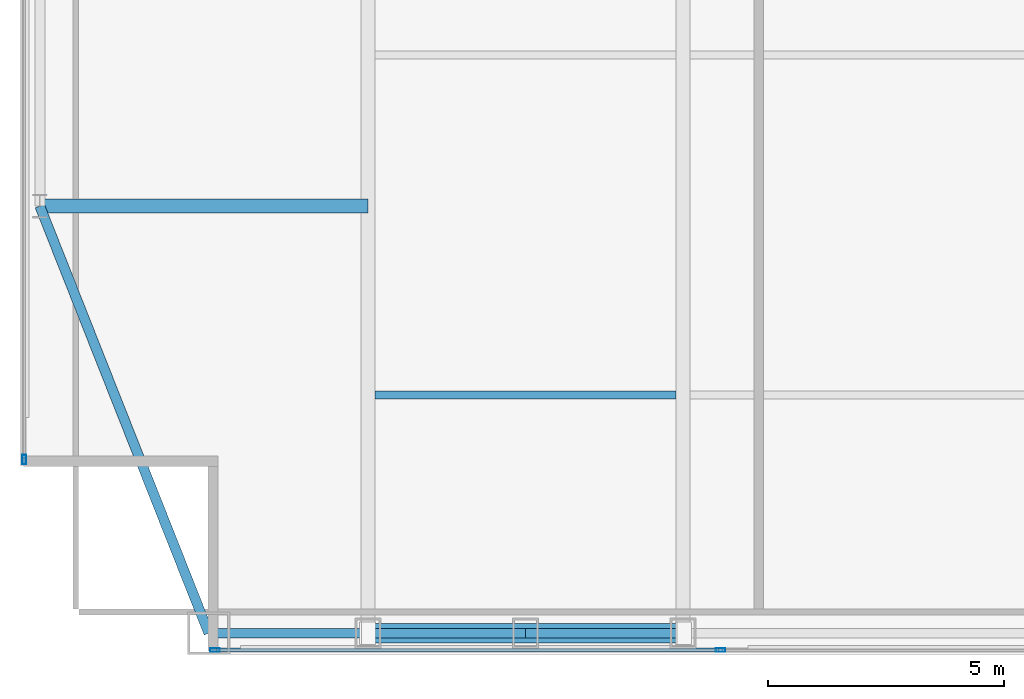
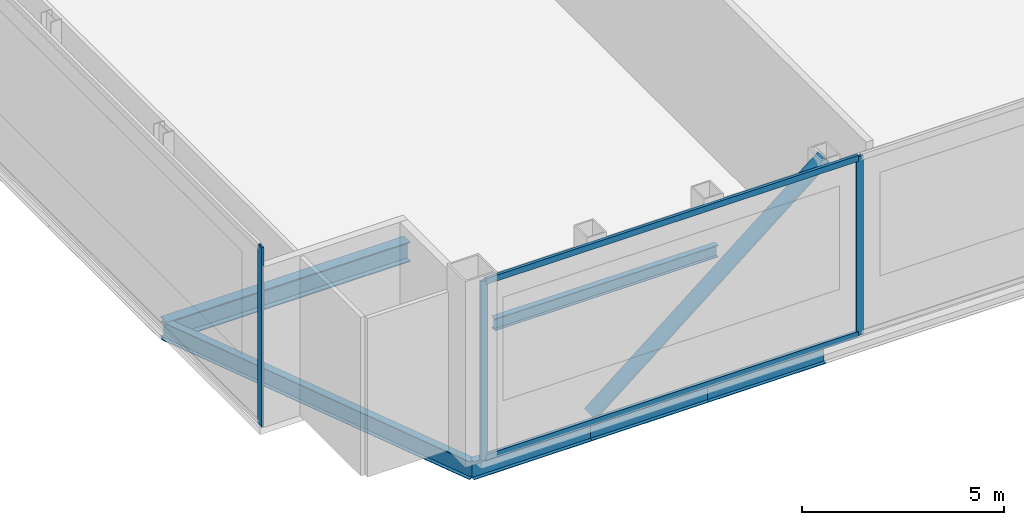
# One storey, part 4 of 22: 6 beams, 6 members, 2 elements without a shape of their own.
"""IFC4 building model written with IfcOpenShell, lengths in metres."""

from ifc_helpers import new_model, si_unit, direction, frame, origin, origin_2d, place, context, subcontext, project, spatial, hollow_rectangle, hollow_circle, i_section, extrude, material, material_profile, profile_set, type_object, element, aggregate, save


model = new_model("IFC4")

# Units and contexts
model_context = context("Model", 3, precision=1e-05, world=origin(), true_north=direction((0.0, 1.0)))
body_context = subcontext(model_context, "Body", "Model", "MODEL_VIEW")
ifc_project = project(units=[si_unit("LENGTHUNIT", "METRE"), si_unit("AREAUNIT", "SQUARE_METRE"), si_unit("VOLUMEUNIT", "CUBIC_METRE"), si_unit("PLANEANGLEUNIT", "RADIAN"), si_unit("MASSUNIT", "GRAM", prefix="KILO")], contexts=[model_context])

# Site, building, storey
site_placement = place(None, origin())
site = spatial("IfcSite", under=ifc_project, at=site_placement, CompositionType="ELEMENT")
building_placement = place(site_placement, origin())
building = spatial("IfcBuilding", under=site, at=building_placement, Name="Khoronbel Lancet Exchange", CompositionType="ELEMENT")
storey_placement = place(building_placement, frame((0.0, 0.0, 361.800048828125)))
storey = spatial("IfcBuildingStorey", under=building, at=storey_placement, Name="L93", CompositionType="ELEMENT", Elevation=361.800048828125)

# Beams
ifc_material_1 = material(Name="Steel S355", Category="steel")
ifc_material_profile_1 = material_profile(ifc_material_1, i_section(OverallWidth=0.300048828125, OverallDepth=0.60009765625, WebThickness=0.015380859375, FlangeThickness=0.030029296875, at=origin_2d()), Name="HEB 600")
ifc_profile_set_1 = profile_set([ifc_material_profile_1], Name="Steel S355")
beam_type_1 = type_object("IfcBeamType", Name="BM-BG5", PredefinedType="BEAM", material=ifc_profile_set_1)
beam_1_placement = place(storey_placement, frame((11.27001953125, 19.199951171875, -0.5), z_axis=(1.0, 0.0, 0.0), x_axis=(0.0, 1.0, 0.0)))
element("IfcBeam", 1, at=beam_1_placement, inside=storey, type_object=beam_type_1, Name="Level L93 west lens tie girder LG1W", PredefinedType="BEAM", context=body_context, shape_type="SweptSolid", body=[
    extrude(i_section(OverallWidth=0.300048828125, OverallDepth=0.60009765625, WebThickness=0.015380859375, FlangeThickness=0.030029296875, at=origin_2d()), origin(), (0.0, 0.0, 1.0), 6.955078125),
])
ifc_material_profile_2 = material_profile(ifc_material_1, i_section(OverallWidth=0.169921875, OverallDepth=0.360107421875, WebThickness=0.008056640625, FlangeThickness=0.0126953125, at=origin_2d()), Name="IPE 360")
ifc_profile_set_2 = profile_set([ifc_material_profile_2], Name="Steel S355")
beam_type_2 = type_object("IfcBeamType", Name="BM-BJ6", PredefinedType="JOIST", material=ifc_profile_set_2)
beam_2_placement = place(storey_placement, frame((18.375, 15.199951171875, -0.380126953125), z_axis=(1.0, 0.0, 0.0), x_axis=(0.0, 1.0, 0.0)))
element("IfcBeam", 2, at=beam_2_placement, inside=storey, type_object=beam_type_2, Name="Level L93 secondary composite joist J01", PredefinedType="JOIST", context=body_context, shape_type="SweptSolid", body=[
    extrude(i_section(OverallWidth=0.169921875, OverallDepth=0.360107421875, WebThickness=0.008056640625, FlangeThickness=0.0126953125, at=origin_2d()), origin(), (0.0, 0.0, 1.0), 6.375),
])
ifc_material_profile_3 = material_profile(ifc_material_1, i_section(OverallWidth=0.2099609375, OverallDepth=0.550048828125, WebThickness=0.010986328125, FlangeThickness=0.01708984375, at=origin_2d()), Name="IPE 550")
ifc_profile_set_3 = profile_set([ifc_material_profile_3], Name="Steel S355")
beam_type_3 = type_object("IfcBeamType", Name="BM-BSP3", PredefinedType="SPANDREL", material=ifc_profile_set_3)
beam_3_placement = place(storey_placement, frame((14.85009765625, 10.14990234375, -0.47509765625), z_axis=(1.0, 0.0, 0.0), x_axis=(0.0, 1.0, 0.0)))
element("IfcBeam", 3, at=beam_3_placement, inside=storey, type_object=beam_type_3, Name="Level L93 perimeter spandrel beam SP01", PredefinedType="SPANDREL", context=body_context, shape_type="SweptSolid", body=[
    extrude(i_section(OverallWidth=0.2099609375, OverallDepth=0.550048828125, WebThickness=0.010986328125, FlangeThickness=0.01708984375, at=origin_2d()), origin(), (0.0, 0.0, 1.0), 3.375),
])
for number, where, z_axis, x_axis, name in (
    (4, (18.22509765625, 10.14990234375, -0.47509765625), (1.0, 0.0, 0.0), (0.0, 1.0, 0.0), "Level L93 perimeter spandrel beam SP02"),
    (5, (21.5625, 10.14990234375, -0.47509765625), (1.0, 0.0, 0.0), (0.0, 1.0, 0.0), "Level L93 perimeter spandrel beam SP03"),
):
    element("IfcBeam", number, at=place(storey_placement, frame(where, z_axis=z_axis, x_axis=x_axis)), inside=storey, type_object=beam_type_3, Name=name, PredefinedType="SPANDREL", context=body_context, shape_type="SweptSolid", body=[
        extrude(i_section(OverallWidth=0.2099609375, OverallDepth=0.550048828125, WebThickness=0.010986328125, FlangeThickness=0.01708984375, at=origin_2d()), origin(), (0.0, 0.0, 1.0), 3.33740234375),
    ])
beam_4_placement = place(storey_placement, frame((11.27001953125, 19.199951171875, -0.47509765625), z_axis=(0.367850095026, -0.92988510451, 0.0), x_axis=(0.92988510451, 0.367850095026, 0.0)))
element("IfcBeam", 6, at=beam_4_placement, inside=storey, type_object=beam_type_3, Name="Level L93 perimeter spandrel beam SP19", PredefinedType="SPANDREL", context=body_context, shape_type="SweptSolid", body=[
    extrude(i_section(OverallWidth=0.2099609375, OverallDepth=0.550048828125, WebThickness=0.010986328125, FlangeThickness=0.01708984375, at=origin_2d()), origin(), (0.0, 0.0, 1.0), 9.732421875),
])

# Curtain wall, member
ifc_material_2 = material(Name="Low-E Solar Control Insulating Glass", Category="glass")
curtain_wall_type = type_object("IfcCurtainWallType", Name="CW-6", PredefinedType="NOTDEFINED", material=ifc_material_2)
curtain_wall_1_placement = place(storey_placement, origin())
curtain_wall_1 = element("IfcCurtainWall", 7, at=curtain_wall_1_placement, inside=storey, type_object=curtain_wall_type, Name="Unitised curtain wall CW-L93-E03", PredefinedType="NOTDEFINED")
ifc_material_3 = material(Name="Bronze-Anodised Aluminium 6063-T6", Category="aluminium")
ifc_material_profile_4 = material_profile(ifc_material_3, hollow_rectangle(XDim=0.074951171875, YDim=0.199951171875, WallThickness=0.0048828125, at=origin_2d()), Name="ALU MULLION 75x200")
ifc_profile_set_4 = profile_set([ifc_material_profile_4], Name="Bronze-Anodised Aluminium 6063-T6")
member_type_1 = type_object("IfcMemberType", Name="MEM-CWM2", PredefinedType="MULLION", material=ifc_profile_set_4)
member_1_placement = place(storey_placement, frame((10.93994140625, 13.827392578125, 0.0), z_axis=(0.0, 0.0, 1.0), x_axis=(-1.0, 0.0, 0.0)))
member_1 = element("IfcMember", 8, at=member_1_placement, type_object=member_type_1, Name="CW6 mullion 1", PredefinedType="MULLION", context=body_context, shape_type="SweptSolid", body=[
    extrude(hollow_rectangle(XDim=0.074951171875, YDim=0.199951171875, WallThickness=0.0048828125, at=origin_2d()), origin(), (0.0, 0.0, 1.0), 5.39990234375),
])
aggregate(curtain_wall_1, [member_1])

# Curtain wall, members
curtain_wall_2_placement = place(storey_placement, origin())
curtain_wall_2 = element("IfcCurtainWall", 9, at=curtain_wall_2_placement, inside=storey, type_object=curtain_wall_type, Name="Unitised curtain wall CW-L93-E12", PredefinedType="NOTDEFINED")
member_2_placement = place(storey_placement, frame((25.695068359375, 9.7900390625, 0.0), z_axis=(0.0, 0.0, 1.0), x_axis=(0.0, -1.0, 0.0)))
member_2 = element("IfcMember", 10, at=member_2_placement, type_object=member_type_1, Name="CW6 mullion 4", PredefinedType="MULLION", context=body_context, shape_type="SweptSolid", body=[
    extrude(hollow_rectangle(XDim=0.074951171875, YDim=0.199951171875, WallThickness=0.0048828125, at=origin_2d()), origin(), (0.0, 0.0, 1.0), 5.39990234375),
])
member_3_placement = place(storey_placement, frame((14.9775390625, 9.7900390625, 0.0), z_axis=(0.0, 0.0, 1.0), x_axis=(0.0, -1.0, 0.0)))
member_3 = element("IfcMember", 11, at=member_3_placement, type_object=member_type_1, Name="CW6 mullion 5", PredefinedType="MULLION", context=body_context, shape_type="SweptSolid", body=[
    extrude(hollow_rectangle(XDim=0.074951171875, YDim=0.199951171875, WallThickness=0.0048828125, at=origin_2d()), origin(), (0.0, 0.0, 1.0), 5.39990234375),
])
ifc_material_profile_5 = material_profile(ifc_material_3, hollow_rectangle(XDim=0.0849609375, YDim=0.179931640625, WallThickness=0.0048828125, at=origin_2d()), Name="ALU TRANSOM 85x180")
ifc_profile_set_5 = profile_set([ifc_material_profile_5], Name="Bronze-Anodised Aluminium 6063-T6")
member_type_2 = type_object("IfcMemberType", Name="MEM-CWT1", PredefinedType="USERDEFINED", material=ifc_profile_set_5)
member_4_placement = place(storey_placement, frame((25.657470703125, 9.7900390625, 0.04248046875), z_axis=(-1.0, 0.0, 0.0), x_axis=(0.0, -1.0, 0.0)))
member_4 = element("IfcMember", 12, at=member_4_placement, type_object=member_type_2, Name="CW6 transom 4.1", ObjectType="TRANSOM", PredefinedType="USERDEFINED", context=body_context, shape_type="SweptSolid", body=[
    extrude(hollow_rectangle(XDim=0.0849609375, YDim=0.179931640625, WallThickness=0.0048828125, at=origin_2d()), origin(), (0.0, 0.0, 1.0), 10.642578125),
])
member_5_placement = place(storey_placement, frame((25.657470703125, 9.7900390625, 5.357421875), z_axis=(-1.0, 0.0, 0.0), x_axis=(0.0, -1.0, 0.0)))
member_5 = element("IfcMember", 13, at=member_5_placement, type_object=member_type_2, Name="CW6 transom 4.2", ObjectType="TRANSOM", PredefinedType="USERDEFINED", context=body_context, shape_type="SweptSolid", body=[
    extrude(hollow_rectangle(XDim=0.0849609375, YDim=0.179931640625, WallThickness=0.0048828125, at=origin_2d()), origin(), (0.0, 0.0, 1.0), 10.642578125),
])
aggregate(curtain_wall_2, [member_2, member_3, member_4, member_5])

# Member
ifc_material_profile_6 = material_profile(ifc_material_1, hollow_circle(Radius=0.203125, WallThickness=0.02001953125, at=origin_2d()), Name="CHS 406.4x20")
ifc_profile_set_6 = profile_set([ifc_material_profile_6], Name="Steel S355")
member_type_3 = type_object("IfcMemberType", Name="MEM-STR2", PredefinedType="STRUT", material=ifc_profile_set_6)
member_6_placement = place(storey_placement, frame((18.22509765625, 10.14990234375, 0.0), z_axis=(0.776305042624, 0.0, 0.630357423052), x_axis=(0.0, 1.0, 0.0)))
element("IfcMember", 14, at=member_6_placement, inside=storey, type_object=member_type_3, Name="CROWN FRAME diagonal ring brace L93-S1", PredefinedType="STRUT", context=body_context, shape_type="SweptSolid", body=[
    extrude(hollow_circle(Radius=0.203125, WallThickness=0.02001953125, at=origin_2d()), origin(), (0.0, 0.0, 1.0), 8.59814453125),
])

save(model, "model.ifc")
